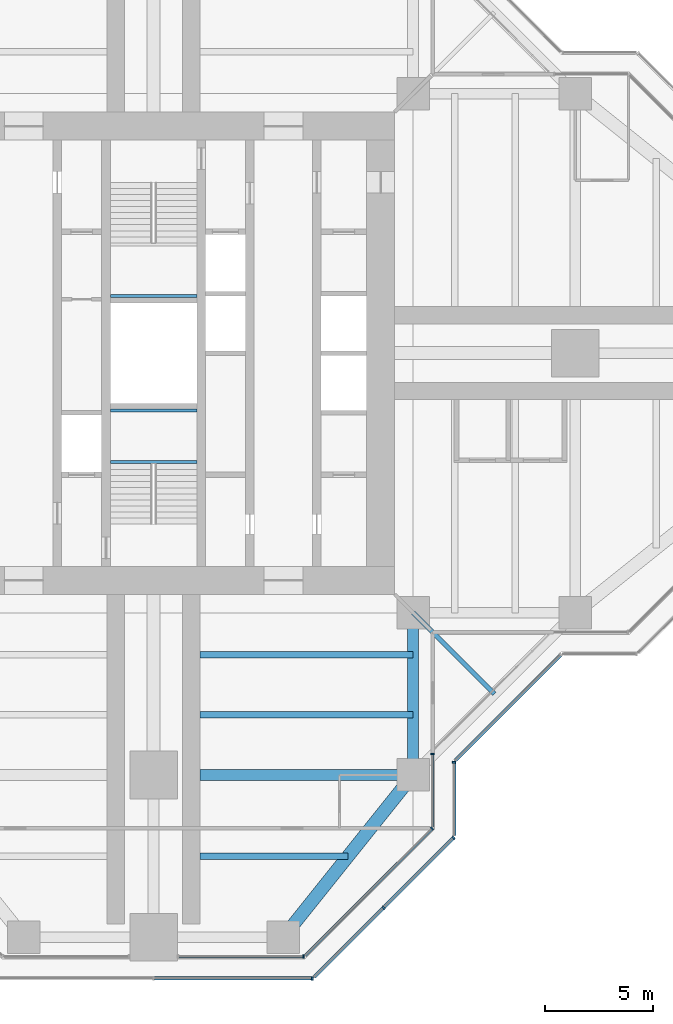
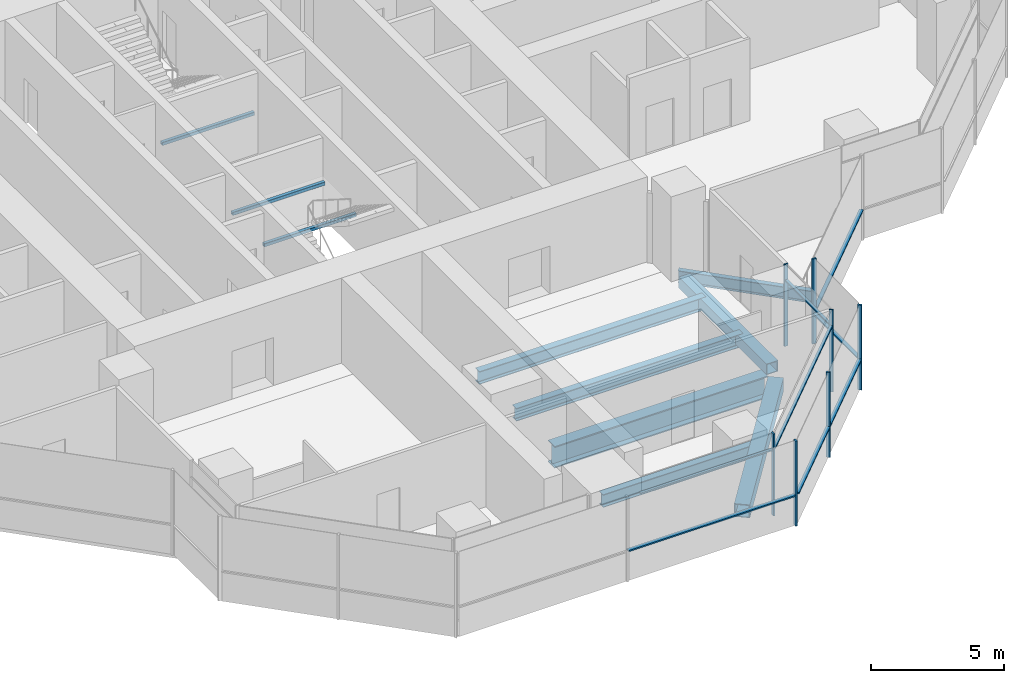
# One storey, part 4 of 17: 15 members, 10 beams, 7 elements without a shape of their own.
"""IFC4 building model written with IfcOpenShell, lengths in metres."""

from ifc_helpers import new_model, si_unit, direction, frame, origin, origin_2d, place, context, subcontext, project, spatial, rectangle, hollow_rectangle, i_section, extrude, material, material_profile, profile_set, type_object, element, aggregate, save


model = new_model("IFC4")

# Units and contexts
model_context = context("Model", 3, precision=1e-05, world=origin(), true_north=direction((0.0, 1.0)))
body_context = subcontext(model_context, "Body", "Model", "MODEL_VIEW")
ifc_project = project(units=[si_unit("LENGTHUNIT", "METRE"), si_unit("AREAUNIT", "SQUARE_METRE"), si_unit("VOLUMEUNIT", "CUBIC_METRE"), si_unit("PLANEANGLEUNIT", "RADIAN"), si_unit("MASSUNIT", "GRAM", prefix="KILO")], contexts=[model_context])

# Site, building, storey
site_placement = place(None, origin())
site = spatial("IfcSite", under=ifc_project, at=site_placement, CompositionType="ELEMENT")
building_placement = place(site_placement, origin())
building = spatial("IfcBuilding", under=site, at=building_placement, Name="Mizan Broadcast Tower", CompositionType="ELEMENT")
storey_placement = place(building_placement, frame((0.0, 0.0, 247.800048828125)))
storey = spatial("IfcBuildingStorey", under=building, at=storey_placement, Name="L58", CompositionType="ELEMENT", Elevation=247.800048828125)

# Beams
ifc_material_1 = material(Name="Steel S355", Category="steel")
ifc_material_profile_1 = material_profile(ifc_material_1, hollow_rectangle(XDim=0.5, YDim=0.5, WallThickness=0.030029296875, at=origin_2d()), Name="BOX 500x500x30")
ifc_profile_set_1 = profile_set([ifc_material_profile_1], Name="Steel S355")
beam_type_1 = type_object("IfcBeamType", Name="EDGE BEAM BOX 500x500x30", PredefinedType="SPANDREL", material=ifc_profile_set_1)
beam_1_placement = place(storey_placement, frame((12.0, -12.449951171875, -0.380126953125), z_axis=(0.0, -1.0, 0.0), x_axis=(1.0, 0.0, 0.0)))
element("IfcBeam", 1, at=beam_1_placement, inside=storey, type_object=beam_type_1, Name="Edge beam BOX 500x500x30 L58 south arm", PredefinedType="SPANDREL", context=body_context, shape_type="SweptSolid", body=[
    extrude(hollow_rectangle(XDim=0.5, YDim=0.5, WallThickness=0.030029296875, at=origin_2d()), origin(), (0.0, 0.0, 1.0), 6.60009765625),
])
ifc_material_2 = material(Name="Steel S355", Category="steel")
ifc_material_profile_2 = material_profile(ifc_material_2, hollow_rectangle(XDim=0.60009765625, YDim=0.60009765625, WallThickness=0.030029296875, at=origin_2d()), Name="BOX 600x600x30")
ifc_profile_set_2 = profile_set([ifc_material_profile_2], Name="Steel S355")
beam_type_2 = type_object("IfcBeamType", Name="EDGE BEAM BOX 600x600x30", PredefinedType="SPANDREL", material=ifc_profile_set_2)
beam_2_placement = place(storey_placement, frame((11.639892578125, -19.949951171875, -0.429931640625), z_axis=(-0.624673911726, -0.780885717636, 0.0), x_axis=(0.780885717636, -0.624673911726, 0.0)))
element("IfcBeam", 2, at=beam_2_placement, inside=storey, type_object=beam_type_2, Name="Edge beam BOX 600x600x30 L58 south arm", PredefinedType="SPANDREL", context=body_context, shape_type="SweptSolid", body=[
    extrude(hollow_rectangle(XDim=0.60009765625, YDim=0.60009765625, WallThickness=0.030029296875, at=origin_2d()), origin(), (0.0, 0.0, 1.0), 8.4521484375),
])
ifc_material_3 = material(Name="Steel S460", Category="steel")
ifc_material_profile_3 = material_profile(ifc_material_3, i_section(OverallWidth=0.5, OverallDepth=1.0, WebThickness=0.02490234375, FlangeThickness=0.050048828125, at=origin_2d()), Name="WPG 1000x500")
ifc_profile_set_3 = profile_set([ifc_material_profile_3], Name="Steel S460")
beam_type_3 = type_object("IfcBeamType", Name="GIRDER WPG 1000x500", PredefinedType="BEAM", material=ifc_profile_set_3)
beam_3_placement = place(storey_placement, frame((11.408935546875, -19.5, -0.630126953125), z_axis=(-1.0, 0.0, 0.0), x_axis=(0.0, -1.0, 0.0)))
element("IfcBeam", 3, at=beam_3_placement, inside=storey, type_object=beam_type_3, Name="Girder WPG 1000x500 L58 south arm", PredefinedType="BEAM", context=body_context, shape_type="SweptSolid", body=[
    extrude(i_section(OverallWidth=0.5, OverallDepth=1.0, WebThickness=0.02490234375, FlangeThickness=0.050048828125, at=origin_2d()), origin(), (0.0, 0.0, 1.0), 9.259033203125),
])

# Curtain wall, member
ifc_material_4 = material(Name="Aluminium framed glazing", Category="aluminium")
curtain_wall_type_1 = type_object("IfcCurtainWallType", Name="INNER SKIN HIGH ZONE", PredefinedType="USERDEFINED", material=ifc_material_4)
curtain_wall_1_placement = place(storey_placement, origin())
curtain_wall_1 = element("IfcCurtainWall", 4, at=curtain_wall_1_placement, inside=storey, type_object=curtain_wall_type_1, Name="Inner skin high zone L58 S end", ObjectType="INNER SKIN HIGH ZONE", PredefinedType="USERDEFINED")
ifc_material_5 = material(Name="Aluminium, pale anodised", Category="aluminium")
ifc_material_profile_4 = material_profile(ifc_material_5, rectangle(XDim=0.159912109375, YDim=0.06005859375, at=origin_2d()), Name="MULLION 160x60")
ifc_profile_set_4 = profile_set([ifc_material_profile_4], Name="Aluminium, pale anodised")
member_type_1 = type_object("IfcMemberType", Name="INNER SKIN MULLION 60x160", PredefinedType="MULLION", material=ifc_profile_set_4)
member_1_placement = place(storey_placement, frame((6.928466796875, -27.89990234375, 0.0), z_axis=(0.0, 0.0, 1.0), x_axis=(0.0, 1.0, 0.0)))
member_1 = element("IfcMember", 5, at=member_1_placement, type_object=member_type_1, Name="Inner skin high zone L58 S end mullion 2", PredefinedType="MULLION", context=body_context, shape_type="SweptSolid", body=[
    extrude(rectangle(XDim=0.159912109375, YDim=0.06005859375, at=origin_2d()), origin(), (0.0, 0.0, 1.0), 3.77001953125),
])

curtain_wall_2_placement = place(storey_placement, origin())
curtain_wall_2 = element("IfcCurtainWall", 6, at=curtain_wall_2_placement, inside=storey, type_object=curtain_wall_type_1, Name="Inner skin high zone L58 S chamfer", ObjectType="INNER SKIN HIGH ZONE", PredefinedType="USERDEFINED")
member_2_placement = place(storey_placement, frame((12.87890625, -21.979736328125, 0.0), z_axis=(0.0, 0.0, 1.0), x_axis=(-0.707106781187, 0.707106781187, 0.0)))
member_2 = element("IfcMember", 7, at=member_2_placement, type_object=member_type_1, Name="Inner skin high zone L58 S chamfer mullion 2", PredefinedType="MULLION", context=body_context, shape_type="SweptSolid", body=[
    extrude(rectangle(XDim=0.159912109375, YDim=0.06005859375, at=origin_2d()), origin(), (0.0, 0.0, 1.0), 3.77001953125),
])

curtain_wall_3_placement = place(storey_placement, origin())
curtain_wall_3 = element("IfcCurtainWall", 8, at=curtain_wall_3_placement, inside=storey, type_object=curtain_wall_type_1, Name="Inner skin high zone L58 S side", ObjectType="INNER SKIN HIGH ZONE", PredefinedType="USERDEFINED")
member_3_placement = place(storey_placement, frame((12.89990234375, -18.530029296875, 0.0), z_axis=(0.0, 0.0, 1.0), x_axis=(-1.0, 0.0, 0.0)))
member_3 = element("IfcMember", 9, at=member_3_placement, type_object=member_type_1, Name="Inner skin high zone L58 S side mullion 2", PredefinedType="MULLION", context=body_context, shape_type="SweptSolid", body=[
    extrude(rectangle(XDim=0.159912109375, YDim=0.06005859375, at=origin_2d()), origin(), (0.0, 0.0, 1.0), 3.77001953125),
])

# Member
ifc_material_6 = material(Name="Aluminium, pale anodised", Category="aluminium")
ifc_material_profile_5 = material_profile(ifc_material_6, rectangle(XDim=0.1201171875, YDim=0.06005859375, at=origin_2d()), Name="TRANSOM 120x60")
ifc_profile_set_5 = profile_set([ifc_material_profile_5], Name="Aluminium, pale anodised")
member_type_2 = type_object("IfcMemberType", Name="INNER SKIN TRANSOM 60x120", PredefinedType="USERDEFINED", material=ifc_profile_set_5)
member_4_placement = place(storey_placement, frame((1.159912109375, -27.89990234375, 3.030029296875), z_axis=(1.0, 0.0, 0.0), x_axis=(0.0, 1.0, 0.0)))
member_4 = element("IfcMember", 10, at=member_4_placement, type_object=member_type_2, Name="Inner skin high zone L58 S end transom 1.1", ObjectType="TRANSOM", PredefinedType="USERDEFINED", context=body_context, shape_type="SweptSolid", body=[
    extrude(rectangle(XDim=0.1201171875, YDim=0.06005859375, at=origin_2d()), origin(), (0.0, 0.0, 1.0), 5.73876953125),
])

aggregate(curtain_wall_1, [member_1, member_4])

member_5_placement = place(storey_placement, frame((7.0009765625, -27.857666015625, 3.030029296875), z_axis=(0.707106781187, 0.707106781187, 0.0), x_axis=(-0.707106781187, 0.707106781187, 0.0)))
member_5 = element("IfcMember", 11, at=member_5_placement, type_object=member_type_2, Name="Inner skin high zone L58 S chamfer transom 1.1", ObjectType="TRANSOM", PredefinedType="USERDEFINED", context=body_context, shape_type="SweptSolid", body=[
    extrude(rectangle(XDim=0.1201171875, YDim=0.06005859375, at=origin_2d()), origin(), (0.0, 0.0, 1.0), 8.28271484375),
])

aggregate(curtain_wall_2, [member_2, member_5])

member_6_placement = place(storey_placement, frame((12.89990234375, -21.898681640625, 3.030029296875), z_axis=(0.0, 1.0, 0.0), x_axis=(-1.0, 0.0, 0.0)))
member_6 = element("IfcMember", 12, at=member_6_placement, type_object=member_type_2, Name="Inner skin high zone L58 S side transom 1.1", ObjectType="TRANSOM", PredefinedType="USERDEFINED", context=body_context, shape_type="SweptSolid", body=[
    extrude(rectangle(XDim=0.1201171875, YDim=0.06005859375, at=origin_2d()), origin(), (0.0, 0.0, 1.0), 3.338623046875),
])

aggregate(curtain_wall_3, [member_3, member_6])

# Beams
ifc_material_7 = material(Name="Steel S355", Category="steel")
ifc_material_profile_6 = material_profile(ifc_material_7, hollow_rectangle(XDim=0.14990234375, YDim=0.14990234375, WallThickness=0.008056640625, InnerFilletRadius=0.008056640625, OuterFilletRadius=0.011962890625, at=origin_2d()), Name="SHS 150x150x8")
ifc_profile_set_6 = profile_set([ifc_material_profile_6], Name="Steel S355")
beam_type_4 = type_object("IfcBeamType", Name="LANDING TRIMMER SHS 150x150x8", PredefinedType="BEAM", material=ifc_profile_set_6)
for number, where, z_axis, x_axis, name in (
    (13, (-2.0, -5.02490234375, 1.675048828125), (1.0, 0.0, 0.0), (0.0, 1.0, 0.0), "Stair A landing trimmer L58"),
    (14, (-2.0, -2.64990234375, 1.675048828125), (1.0, 0.0, 0.0), (0.0, 1.0, 0.0), "Stair A landing trimmer L58"),
    (15, (2.0, 2.64990234375, 1.675048828125), (-1.0, 0.0, 0.0), (0.0, -1.0, 0.0), "Stair B landing trimmer L58"),
):
    element("IfcBeam", number, at=place(storey_placement, frame(where, z_axis=z_axis, x_axis=x_axis)), inside=storey, type_object=beam_type_4, Name=name, PredefinedType="BEAM", context=body_context, shape_type="SweptSolid", body=[
        extrude(hollow_rectangle(XDim=0.14990234375, YDim=0.14990234375, WallThickness=0.008056640625, InnerFilletRadius=0.008056640625, OuterFilletRadius=0.011962890625, at=origin_2d()), origin(), (0.0, 0.0, 1.0), 4.0),
    ])

# Curtain wall, member
ifc_material_8 = material(Name="Aluminium framed glazing", Category="aluminium")
curtain_wall_type_2 = type_object("IfcCurtainWallType", Name="OUTER SKIN", PredefinedType="USERDEFINED", material=ifc_material_8)
curtain_wall_4_placement = place(storey_placement, origin())
curtain_wall_4 = element("IfcCurtainWall", 16, at=curtain_wall_4_placement, inside=storey, type_object=curtain_wall_type_2, Name="Outer skin L58 S end", ObjectType="OUTER SKIN", PredefinedType="USERDEFINED")
ifc_material_9 = material(Name="Aluminium, pale anodised", Category="aluminium")
ifc_material_profile_7 = material_profile(ifc_material_9, rectangle(XDim=0.159912109375, YDim=0.080078125, at=origin_2d()), Name="MULLION 160x80")
ifc_profile_set_7 = profile_set([ifc_material_profile_7], Name="Aluminium, pale anodised")
member_type_3 = type_object("IfcMemberType", Name="OUTER SKIN MULLION 80x160", PredefinedType="MULLION", material=ifc_profile_set_7)
member_7_placement = place(storey_placement, frame((7.332763671875, -28.89990234375, 0.0), z_axis=(0.0, 0.0, 1.0), x_axis=(0.0, 1.0, 0.0)))
member_7 = element("IfcMember", 17, at=member_7_placement, type_object=member_type_3, Name="Outer skin L58 S end mullion 3", PredefinedType="MULLION", context=body_context, shape_type="SweptSolid", body=[
    extrude(rectangle(XDim=0.159912109375, YDim=0.080078125, at=origin_2d()), origin(), (0.0, 0.0, 1.0), 3.89990234375),
])

# Curtain wall, members
curtain_wall_5_placement = place(storey_placement, origin())
curtain_wall_5 = element("IfcCurtainWall", 18, at=curtain_wall_5_placement, inside=storey, type_object=curtain_wall_type_2, Name="Outer skin L58 S chamfer", ObjectType="OUTER SKIN", PredefinedType="USERDEFINED")
member_8_placement = place(storey_placement, frame((10.636474609375, -25.636474609375, 0.0), z_axis=(0.0, 0.0, 1.0), x_axis=(-0.707106781187, 0.707106781187, 0.0)))
member_8 = element("IfcMember", 19, at=member_8_placement, type_object=member_type_3, Name="Outer skin L58 S chamfer mullion 2", PredefinedType="MULLION", context=body_context, shape_type="SweptSolid", body=[
    extrude(rectangle(XDim=0.159912109375, YDim=0.080078125, at=origin_2d()), origin(), (0.0, 0.0, 1.0), 3.89990234375),
])
member_9_placement = place(storey_placement, frame((13.871826171875, -22.401123046875, 0.0), z_axis=(0.0, 0.0, 1.0), x_axis=(-0.707106781187, 0.707106781187, 0.0)))
member_9 = element("IfcMember", 20, at=member_9_placement, type_object=member_type_3, Name="Outer skin L58 S chamfer mullion 3", PredefinedType="MULLION", context=body_context, shape_type="SweptSolid", body=[
    extrude(rectangle(XDim=0.159912109375, YDim=0.080078125, at=origin_2d()), origin(), (0.0, 0.0, 1.0), 3.89990234375),
])

# Curtain wall, member
curtain_wall_6_placement = place(storey_placement, origin())
curtain_wall_6 = element("IfcCurtainWall", 21, at=curtain_wall_6_placement, inside=storey, type_object=curtain_wall_type_2, Name="Outer skin L58 S side", ObjectType="OUTER SKIN", PredefinedType="USERDEFINED")
member_10_placement = place(storey_placement, frame((13.89990234375, -18.912841796875, 0.0), z_axis=(0.0, 0.0, 1.0), x_axis=(-1.0, 0.0, 0.0)))
member_10 = element("IfcMember", 22, at=member_10_placement, type_object=member_type_3, Name="Outer skin L58 S side mullion 2", PredefinedType="MULLION", context=body_context, shape_type="SweptSolid", body=[
    extrude(rectangle(XDim=0.159912109375, YDim=0.080078125, at=origin_2d()), origin(), (0.0, 0.0, 1.0), 3.89990234375),
])

# Member
ifc_material_10 = material(Name="Aluminium, pale anodised", Category="aluminium")
ifc_material_profile_8 = material_profile(ifc_material_10, rectangle(XDim=0.159912109375, YDim=0.06005859375, at=origin_2d()), Name="TRANSOM 160x60")
ifc_profile_set_8 = profile_set([ifc_material_profile_8], Name="Aluminium, pale anodised")
member_type_4 = type_object("IfcMemberType", Name="OUTER SKIN TRANSOM 60x160", PredefinedType="USERDEFINED", material=ifc_profile_set_8)
member_11_placement = place(storey_placement, frame((0.0400390625, -28.89990234375, 1.39990234375), z_axis=(1.0, 0.0, 0.0), x_axis=(0.0, 1.0, 0.0)))
member_11 = element("IfcMember", 23, at=member_11_placement, type_object=member_type_4, Name="Outer skin L58 S end transom 2.1", ObjectType="TRANSOM", PredefinedType="USERDEFINED", context=body_context, shape_type="SweptSolid", body=[
    extrude(rectangle(XDim=0.159912109375, YDim=0.06005859375, at=origin_2d()), origin(), (0.0, 0.0, 1.0), 7.252685546875),
])

aggregate(curtain_wall_4, [member_7, member_11])

member_12_placement = place(storey_placement, frame((7.429443359375, -28.843505859375, 1.39990234375), z_axis=(0.707106781187, 0.707106781187, 0.0), x_axis=(-0.707106781187, 0.707106781187, 0.0)))
member_12 = element("IfcMember", 24, at=member_12_placement, type_object=member_type_4, Name="Outer skin L58 S chamfer transom 1.1", ObjectType="TRANSOM", PredefinedType="USERDEFINED", context=body_context, shape_type="SweptSolid", body=[
    extrude(rectangle(XDim=0.159912109375, YDim=0.06005859375, at=origin_2d()), origin(), (0.0, 0.0, 1.0), 4.495361328125),
])

member_13_placement = place(storey_placement, frame((10.664794921875, -25.608154296875, 1.39990234375), z_axis=(0.707106781187, 0.707106781187, 0.0), x_axis=(-0.707106781187, 0.707106781187, 0.0)))
member_13 = element("IfcMember", 25, at=member_13_placement, type_object=member_type_4, Name="Outer skin L58 S chamfer transom 2.1", ObjectType="TRANSOM", PredefinedType="USERDEFINED", context=body_context, shape_type="SweptSolid", body=[
    extrude(rectangle(XDim=0.159912109375, YDim=0.06005859375, at=origin_2d()), origin(), (0.0, 0.0, 1.0), 4.495361328125),
])

aggregate(curtain_wall_5, [member_8, member_9, member_12, member_13])

member_14_placement = place(storey_placement, frame((13.89990234375, -22.292724609375, 1.39990234375), z_axis=(0.0, 1.0, 0.0), x_axis=(-1.0, 0.0, 0.0)))
member_14 = element("IfcMember", 26, at=member_14_placement, type_object=member_type_4, Name="Outer skin L58 S side transom 1.1", ObjectType="TRANSOM", PredefinedType="USERDEFINED", context=body_context, shape_type="SweptSolid", body=[
    extrude(rectangle(XDim=0.159912109375, YDim=0.06005859375, at=origin_2d()), origin(), (0.0, 0.0, 1.0), 3.33984375),
])

aggregate(curtain_wall_6, [member_10, member_14])

# Curtain wall, member
curtain_wall_7_placement = place(storey_placement, origin())
curtain_wall_7 = element("IfcCurtainWall", 27, at=curtain_wall_7_placement, inside=storey, type_object=curtain_wall_type_2, Name="Outer skin L58 E chamfer", ObjectType="OUTER SKIN", PredefinedType="USERDEFINED")
member_15_placement = place(storey_placement, frame((13.95654296875, -18.816162109375, 1.39990234375), z_axis=(0.707106781187, 0.707106781187, 0.0), x_axis=(-0.707106781187, 0.707106781187, 0.0)))
member_15 = element("IfcMember", 28, at=member_15_placement, type_object=member_type_4, Name="Outer skin L58 E chamfer transom 1.1", ObjectType="TRANSOM", PredefinedType="USERDEFINED", context=body_context, shape_type="SweptSolid", body=[
    extrude(rectangle(XDim=0.159912109375, YDim=0.06005859375, at=origin_2d()), origin(), (0.0, 0.0, 1.0), 6.87255859375),
])
aggregate(curtain_wall_7, [member_15])

# Beams
ifc_material_11 = material(Name="Steel S355", Category="steel")
ifc_material_profile_9 = material_profile(ifc_material_11, i_section(OverallWidth=0.300048828125, OverallDepth=0.590087890625, WebThickness=0.012939453125, FlangeThickness=0.02490234375, FilletRadius=0.027099609375, at=origin_2d()), Name="HEA 600")
ifc_profile_set_9 = profile_set([ifc_material_profile_9], Name="Steel S355")
beam_type_5 = type_object("IfcBeamType", Name="SECONDARY BEAM HEA 600", PredefinedType="JOIST", material=ifc_profile_set_9)
for number, where, z_axis, x_axis, name in (
    (29, (12.0, -13.933349609375, -0.425048828125), (-1.0, 0.0, 0.0), (0.0, -1.0, 0.0), "Secondary beam HEA 600 L58 south arm"),
    (30, (12.0, -16.716552734375, -0.425048828125), (-1.0, 0.0, 0.0), (0.0, -1.0, 0.0), "Secondary beam HEA 600 L58 south arm"),
):
    element("IfcBeam", number, at=place(storey_placement, frame(where, z_axis=z_axis, x_axis=x_axis)), inside=storey, type_object=beam_type_5, Name=name, PredefinedType="JOIST", context=body_context, shape_type="SweptSolid", body=[
        extrude(i_section(OverallWidth=0.300048828125, OverallDepth=0.590087890625, WebThickness=0.012939453125, FlangeThickness=0.02490234375, FilletRadius=0.027099609375, at=origin_2d()), origin(), (0.0, 0.0, 1.0), 9.85009765625),
    ])
beam_4_placement = place(storey_placement, frame((9.0, -23.25, -0.425048828125), z_axis=(-1.0, 0.0, 0.0), x_axis=(0.0, -1.0, 0.0)))
element("IfcBeam", 31, at=beam_4_placement, inside=storey, type_object=beam_type_5, Name="Secondary beam HEA 600 L58 south arm", PredefinedType="JOIST", context=body_context, shape_type="SweptSolid", body=[
    extrude(i_section(OverallWidth=0.300048828125, OverallDepth=0.590087890625, WebThickness=0.012939453125, FlangeThickness=0.02490234375, FilletRadius=0.027099609375, at=origin_2d()), origin(), (0.0, 0.0, 1.0), 6.85009765625),
])
ifc_material_12 = material(Name="Steel S355", Category="steel")
ifc_material_profile_10 = material_profile(ifc_material_12, i_section(OverallWidth=0.2099609375, OverallDepth=0.550048828125, WebThickness=0.010986328125, FlangeThickness=0.01708984375, FilletRadius=0.02392578125, at=origin_2d()), Name="IPE 550")
ifc_profile_set_10 = profile_set([ifc_material_profile_10], Name="Steel S355")
beam_type_6 = type_object("IfcBeamType", Name="SECONDARY BEAM IPE 550", PredefinedType="JOIST", material=ifc_profile_set_10)
beam_5_placement = place(storey_placement, frame((12.0, -12.0, -0.405029296875), z_axis=(0.707106781187, -0.707106781187, 0.0), x_axis=(0.707106781187, 0.707106781187, 0.0)))
element("IfcBeam", 32, at=beam_5_placement, inside=storey, type_object=beam_type_6, Name="Winter garden beam L58 S", PredefinedType="JOIST", context=body_context, shape_type="SweptSolid", body=[
    extrude(i_section(OverallWidth=0.2099609375, OverallDepth=0.550048828125, WebThickness=0.010986328125, FlangeThickness=0.01708984375, FilletRadius=0.02392578125, at=origin_2d()), origin(), (0.0, 0.0, 1.0), 5.30322265625),
])

save(model, "model.ifc")
